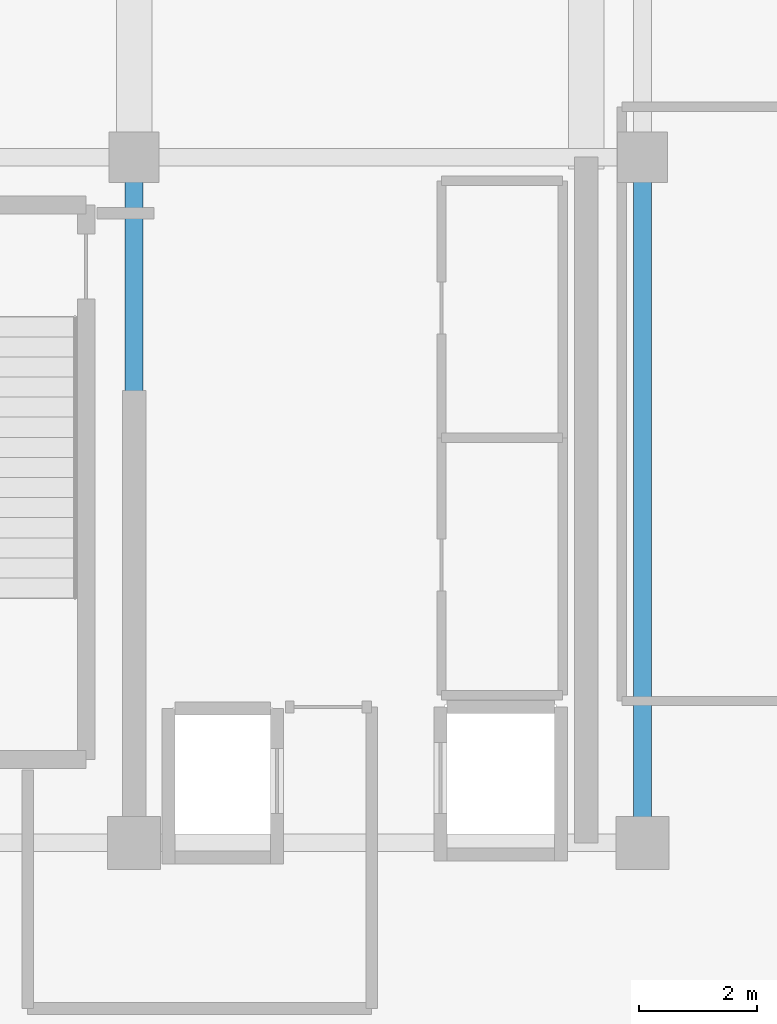
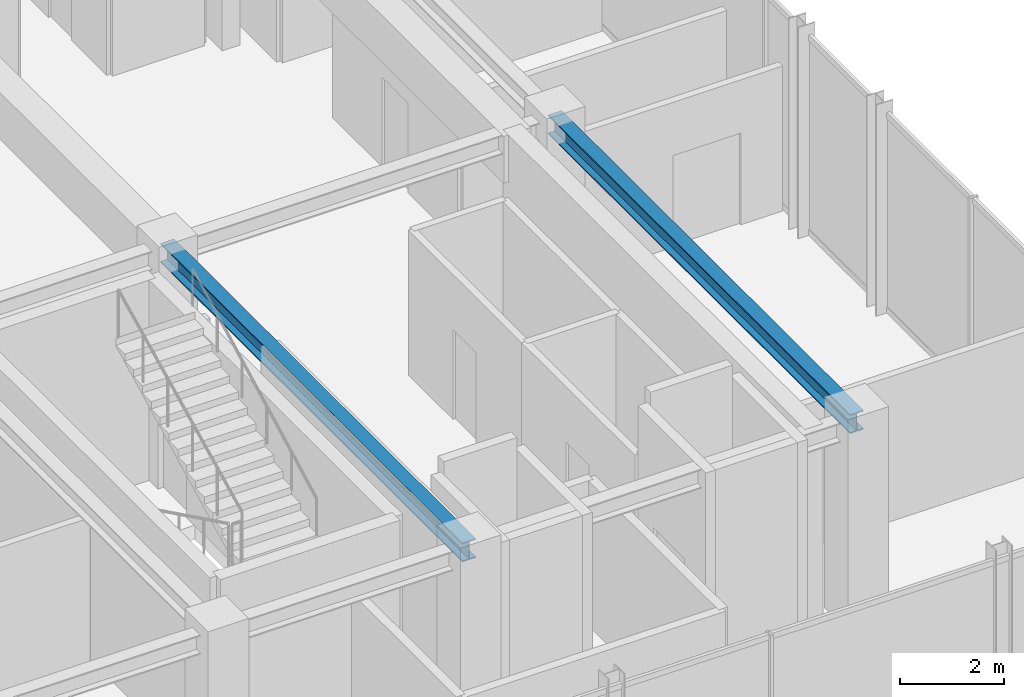
# One storey, part 12 of 28: 2 beams.
"""IFC4 building model written with IfcOpenShell, lengths in metres."""

from ifc_helpers import new_model, si_unit, direction, frame, origin, origin_2d, place, context, subcontext, project, spatial, i_section, extrude, source, transform, mapped, material, material_profile, profile_set, type_object, element, save


model = new_model("IFC4")

# Units and contexts
model_context = context("Model", 3, precision=1e-05, world=origin(), true_north=direction((0.0, 1.0)))
body_context = subcontext(model_context, "Body", "Model", "MODEL_VIEW")
ifc_project = project(units=[si_unit("LENGTHUNIT", "METRE"), si_unit("AREAUNIT", "SQUARE_METRE"), si_unit("VOLUMEUNIT", "CUBIC_METRE"), si_unit("PLANEANGLEUNIT", "RADIAN"), si_unit("MASSUNIT", "GRAM", prefix="KILO")], contexts=[model_context])

# Site, building, storey
site_placement = place(None, origin())
site = spatial("IfcSite", under=ifc_project, at=site_placement, CompositionType="ELEMENT")
building_placement = place(site_placement, origin())
building = spatial("IfcBuilding", under=site, at=building_placement, Name="Nahalor Promenade Grand Hotel", CompositionType="ELEMENT")
storey_placement = place(building_placement, frame((0.0, 0.0, 352.050048828125)))
storey = spatial("IfcBuildingStorey", under=building, at=storey_placement, Name="L90", CompositionType="ELEMENT", Elevation=352.050048828125)

# Beams
ifc_material = material(Name="Steel S355JR", Category="steel")
ifc_material_profile = material_profile(ifc_material, i_section(OverallWidth=0.3, OverallDepth=0.45, WebThickness=0.014, FlangeThickness=0.026, at=origin_2d()), Name="HEB 450")
ifc_profile_set = profile_set([ifc_material_profile], Name="Steel S355JR")
beam_type = type_object("IfcBeamType", Name="Beam-Girder-HEB450", PredefinedType="BEAM", material=ifc_profile_set)
shared_shape = source(origin(), body_context, "Body", "SweptSolid", [
    extrude(i_section(OverallWidth=0.3, OverallDepth=0.45, WebThickness=0.014, FlangeThickness=0.026, at=origin_2d()), origin(), (0.0, 0.0, 1.0), 11.60009765625),
])
for number, where, z_axis, x_axis, name in (
    (1, (8.39990234375, -17.0, 4.474853515625), (0.0, 1.0, 0.0), (-1.0, 0.0, 0.0), "BM-L90-GY-4-0"),
    (2, (17.0, -17.0, 4.474853515625), (0.0, 1.0, 0.0), (-1.0, 0.0, 0.0), "BM-L90-GY-5-0"),
):
    element("IfcBeam", number, at=place(storey_placement, frame(where, z_axis=z_axis, x_axis=x_axis)), inside=storey, type_object=beam_type, Name=name, PredefinedType="BEAM", context=body_context, shape_type="MappedRepresentation", body=[
        mapped(shared_shape, transform((0.0, 0.0, 0.0), scale=1.0)),
    ])

save(model, "model.ifc")
